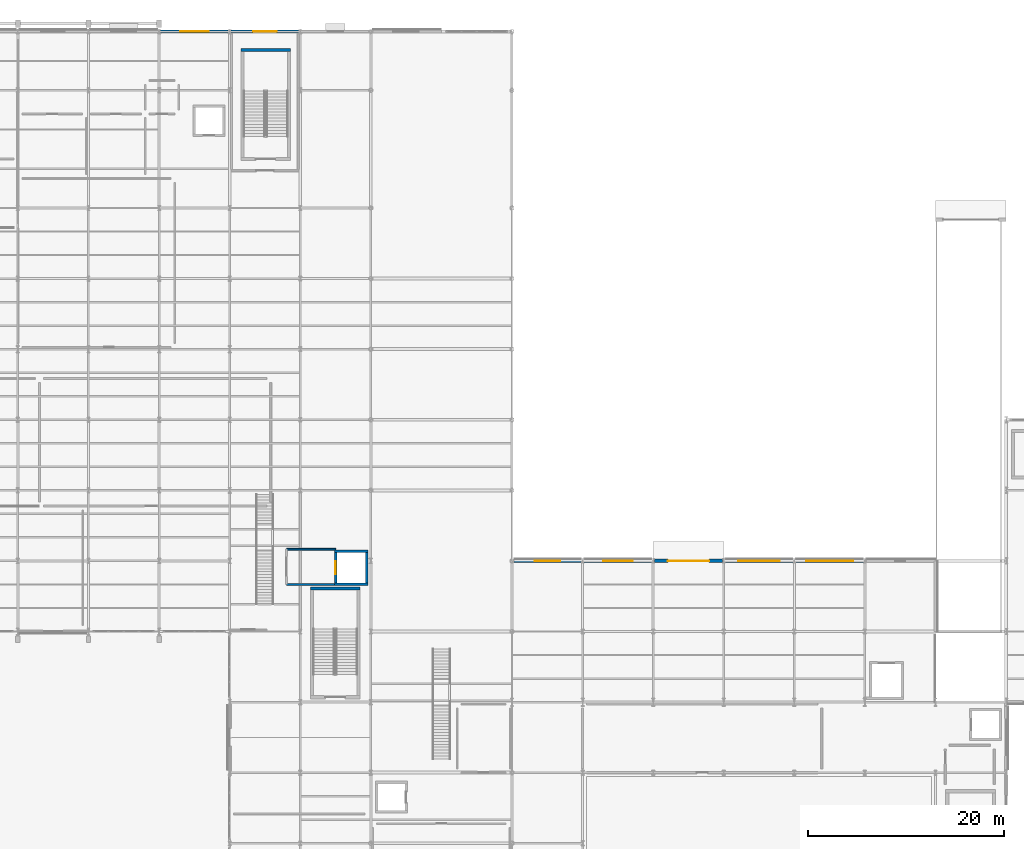
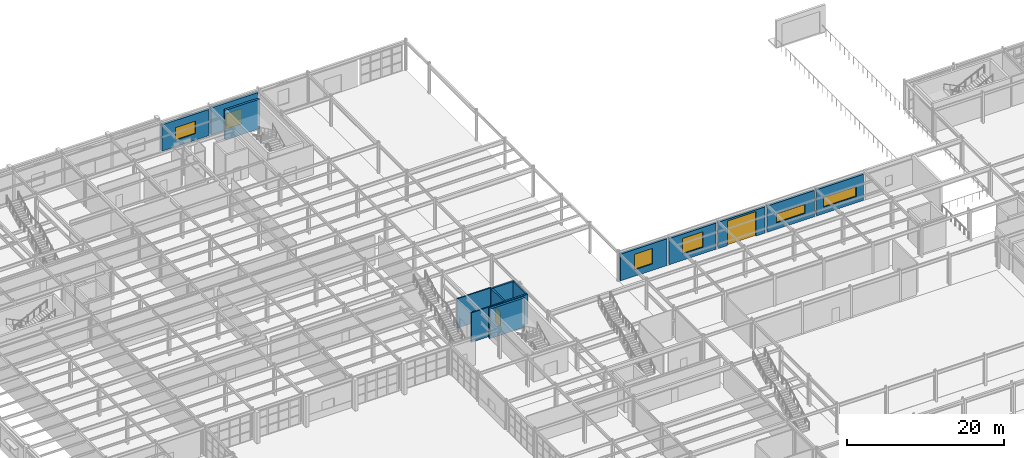
# One storey, part 62 of 83: 15 walls, 5 windows, 3 doors, 8 openings.
"""IFC4 building model written with IfcOpenShell, lengths in metres."""

from ifc_helpers import new_model, si_unit, direction, frame, frame_2d, origin, place, context, subcontext, project, spatial, rectangle, extrude, material, layer, layer_set, type_object, element, fill, save


model = new_model("IFC4")

# Units and contexts
model_context = context("Model", 3, precision=1e-05, world=origin(), true_north=direction((0.0, 1.0)))
body_context = subcontext(model_context, "Body", "Model", "MODEL_VIEW")
ifc_project = project(units=[si_unit("LENGTHUNIT", "METRE"), si_unit("AREAUNIT", "SQUARE_METRE"), si_unit("VOLUMEUNIT", "CUBIC_METRE"), si_unit("PLANEANGLEUNIT", "RADIAN"), si_unit("MASSUNIT", "GRAM", prefix="KILO")], contexts=[model_context])

# Site, building, storey
site_placement = place(None, origin())
site = spatial("IfcSite", under=ifc_project, at=site_placement, CompositionType="ELEMENT")
building_placement = place(site_placement, origin())
building = spatial("IfcBuilding", under=site, at=building_placement, Name="Solvadek Multi-Sports Hall", CompositionType="ELEMENT")
storey_placement = place(building_placement, origin())
storey = spatial("IfcBuildingStorey", under=building, at=storey_placement, Name="L00", CompositionType="ELEMENT", Elevation=0.0)

# Wall, opening, window
ifc_material_1 = material(Name="Fired Deccan terracotta brick masonry", Category="masonry")
ifc_layer_1 = layer(ifc_material_1, 0.35009765625, Name="Fired Deccan terracotta brick masonry")
ifc_layer_set_1 = layer_set([ifc_layer_1], Name="Fired Deccan terracotta brick masonry")
wall_type_1 = type_object("IfcWallType", Name="ENV-WAL-EXT350", PredefinedType="SOLIDWALL", material=ifc_layer_set_1)
wall_1_placement = place(storey_placement, frame((50.553955078125, 110.39990234375, 0.0), z_axis=(0.0, 0.0, 1.0), x_axis=(1.0, 0.0, 0.0)))
wall_1 = element("IfcWall", 1, at=wall_1_placement, inside=storey, type_object=wall_type_1, Name="L00 Exterior Masonry Wall #186", PredefinedType="SOLIDWALL", context=body_context, shape_type="SweptSolid", body=[
    extrude(rectangle(XDim=6.89208984375, YDim=0.35009765625, at=frame_2d((3.446044921875, 0.0))), origin(), (0.0, 0.0, 1.0), 4.06494140625),
])
opening_1_placement = place(wall_1_placement, frame((1.99609375, 0.0, 1.0)))
opening_1 = element("IfcOpeningElement", 2, at=opening_1_placement, cuts=wall_1, Name="Opening WN-32", PredefinedType="OPENING", context=body_context, shape_type="SweptSolid", body=[
    extrude(rectangle(XDim=2.89990234375, YDim=1.949951171875, at=frame_2d((1.449951171875, 0.97509765625))), frame((0.0, 0.18505859375, 0.0), z_axis=(0.0, -1.0, 0.0), x_axis=(1.0, 0.0, 0.0)), (0.0, 0.0, 1.0), 0.3701171875),
])
ifc_material_2 = material(Name="Tempered laminated low-E glass", Category="glass")
window_type_1 = type_object("IfcWindowType", Name="ENV-WIN-WN-32", PartitioningType="SINGLE_PANEL", PredefinedType="WINDOW", material=ifc_material_2)
window_1_placement = place(opening_1_placement, origin())
window_1 = element("IfcWindow", 3, at=window_1_placement, inside=storey, type_object=window_type_1, Name="L00 Facade Window WN-32 #71", OverallHeight=1.949951171875, OverallWidth=2.89990234375, PartitioningType="SINGLE_PANEL", PredefinedType="WINDOW", context=body_context, shape_type="SweptSolid", body=[
    extrude(rectangle(XDim=2.89990234375, YDim=1.949951171875, at=frame_2d((1.449951171875, 0.97509765625))), frame((0.0, 0.030029296875, 0.0), z_axis=(0.0, -1.0, 0.0), x_axis=(1.0, 0.0, 0.0)), (0.0, 0.0, 1.0), 0.06005859375),
])
fill(opening_1, window_1)

# Wall, opening, door
wall_2_placement = place(storey_placement, frame((57.75390625, 110.39990234375, 0.0), z_axis=(0.0, 0.0, 1.0), x_axis=(1.0, 0.0, 0.0)))
wall_2 = element("IfcWall", 4, at=wall_2_placement, inside=storey, type_object=wall_type_1, Name="L00 Exterior Masonry Wall #189", PredefinedType="SOLIDWALL", context=body_context, shape_type="SweptSolid", body=[
    extrude(rectangle(XDim=6.89208984375, YDim=0.35009765625, at=frame_2d((3.446044921875, 0.0))), origin(), (0.0, 0.0, 1.0), 4.1650390625),
])
opening_2_placement = place(wall_2_placement, frame((2.24609375, 0.0, 0.0)))
opening_2 = element("IfcOpeningElement", 5, at=opening_2_placement, cuts=wall_2, Name="Opening D-EX06", PredefinedType="OPENING", context=body_context, shape_type="SweptSolid", body=[
    extrude(rectangle(XDim=2.39990234375, YDim=2.39990234375, at=frame_2d((1.199951171875, 1.199951171875))), frame((0.0, 0.18505859375, 0.0), z_axis=(0.0, -1.0, 0.0), x_axis=(1.0, 0.0, 0.0)), (0.0, 0.0, 1.0), 0.3701171875),
])
ifc_material_3 = material(Name="Anodised aluminium", Category="aluminium")
door_type_1 = type_object("IfcDoorType", Name="ENV-DOR-EX240X240", OperationType="DOUBLE_DOOR_SINGLE_SWING", PredefinedType="DOOR", material=ifc_material_3)
door_1_placement = place(opening_2_placement, origin())
door_1 = element("IfcDoor", 6, at=door_1_placement, inside=storey, type_object=door_type_1, Name="Stair ST-03 Final Exit Door D-EX06", OperationType="DOUBLE_DOOR_SINGLE_SWING", OverallHeight=2.39990234375, OverallWidth=2.39990234375, PredefinedType="DOOR", context=body_context, shape_type="SweptSolid", body=[
    extrude(rectangle(XDim=2.39990234375, YDim=2.39990234375, at=frame_2d((1.199951171875, 1.199951171875))), frame((0.0, 0.02490234375, 0.0), z_axis=(0.0, -1.0, 0.0), x_axis=(1.0, 0.0, 0.0)), (0.0, 0.0, 1.0), 0.050048828125),
])
fill(opening_2, door_1)

# Wall, opening, window
wall_3_placement = place(storey_placement, frame((86.607177734375, 56.39990234375, 0.0), z_axis=(0.0, 0.0, 1.0), x_axis=(1.0, 0.0, 0.0)))
wall_3 = element("IfcWall", 7, at=wall_3_placement, inside=storey, type_object=wall_type_1, Name="L00 Exterior Masonry Wall #253", PredefinedType="SOLIDWALL", context=body_context, shape_type="SweptSolid", body=[
    extrude(rectangle(XDim=6.8388671875, YDim=0.35009765625, at=frame_2d((3.41943359375, 0.0))), origin(), (0.0, 0.0, 1.0), 4.14990234375),
])
opening_3_placement = place(wall_3_placement, frame((2.0927734375, 0.0, 1.0)))
opening_3 = element("IfcOpeningElement", 8, at=opening_3_placement, cuts=wall_3, Name="Opening WN-19", PredefinedType="OPENING", context=body_context, shape_type="SweptSolid", body=[
    extrude(rectangle(XDim=2.60009765625, YDim=2.39990234375, at=frame_2d((1.300048828125, 1.199951171875))), frame((0.0, 0.18505859375, 0.0), z_axis=(0.0, -1.0, 0.0), x_axis=(1.0, 0.0, 0.0)), (0.0, 0.0, 1.0), 0.3701171875),
])
window_type_2 = type_object("IfcWindowType", Name="ENV-WIN-WN-19", PartitioningType="SINGLE_PANEL", PredefinedType="WINDOW", material=ifc_material_2)
window_2_placement = place(opening_3_placement, origin())
window_2 = element("IfcWindow", 9, at=window_2_placement, inside=storey, type_object=window_type_2, Name="L00 Facade Window WN-19 #108", OverallHeight=2.39990234375, OverallWidth=2.60009765625, PartitioningType="SINGLE_PANEL", PredefinedType="WINDOW", context=body_context, shape_type="SweptSolid", body=[
    extrude(rectangle(XDim=2.60009765625, YDim=2.39990234375, at=frame_2d((1.300048828125, 1.199951171875))), frame((0.0, 0.030029296875, 0.0), z_axis=(0.0, -1.0, 0.0), x_axis=(1.0, 0.0, 0.0)), (0.0, 0.0, 1.0), 0.06005859375),
])
fill(opening_3, window_2)

wall_4_placement = place(storey_placement, frame((93.75390625, 56.39990234375, 0.0), z_axis=(0.0, 0.0, 1.0), x_axis=(1.0, 0.0, 0.0)))
wall_4 = element("IfcWall", 10, at=wall_4_placement, inside=storey, type_object=wall_type_1, Name="L00 Exterior Masonry Wall #254", PredefinedType="SOLIDWALL", context=body_context, shape_type="SweptSolid", body=[
    extrude(rectangle(XDim=6.89208984375, YDim=0.35009765625, at=frame_2d((3.446044921875, 0.0))), origin(), (0.0, 0.0, 1.0), 4.06494140625),
])
opening_4_placement = place(wall_4_placement, frame((1.946044921875, 0.0, 1.0)))
opening_4 = element("IfcOpeningElement", 11, at=opening_4_placement, cuts=wall_4, Name="Opening WN-20", PredefinedType="OPENING", context=body_context, shape_type="SweptSolid", body=[
    extrude(rectangle(XDim=3.0, YDim=2.39990234375, at=frame_2d((1.5, 1.199951171875))), frame((0.0, 0.18505859375, 0.0), z_axis=(0.0, -1.0, 0.0), x_axis=(1.0, 0.0, 0.0)), (0.0, 0.0, 1.0), 0.3701171875),
])
window_type_3 = type_object("IfcWindowType", Name="ENV-WIN-WN-20", PartitioningType="SINGLE_PANEL", PredefinedType="WINDOW", material=ifc_material_2)
window_3_placement = place(opening_4_placement, origin())
window_3 = element("IfcWindow", 12, at=window_3_placement, inside=storey, type_object=window_type_3, Name="L00 Facade Window WN-20 #109", OverallHeight=2.39990234375, OverallWidth=3.0, PartitioningType="SINGLE_PANEL", PredefinedType="WINDOW", context=body_context, shape_type="SweptSolid", body=[
    extrude(rectangle(XDim=3.0, YDim=2.39990234375, at=frame_2d((1.5, 1.199951171875))), frame((0.0, 0.030029296875, 0.0), z_axis=(0.0, -1.0, 0.0), x_axis=(1.0, 0.0, 0.0)), (0.0, 0.0, 1.0), 0.06005859375),
])
fill(opening_4, window_3)

# Wall, opening, door
wall_5_placement = place(storey_placement, frame((100.9541015625, 56.39990234375, 0.0), z_axis=(0.0, 0.0, 1.0), x_axis=(1.0, 0.0, 0.0)))
wall_5 = element("IfcWall", 13, at=wall_5_placement, inside=storey, type_object=wall_type_1, Name="L00 Exterior Masonry Wall #255", PredefinedType="SOLIDWALL", context=body_context, shape_type="SweptSolid", body=[
    extrude(rectangle(XDim=6.891845703125, YDim=0.35009765625, at=frame_2d((3.44580078125, 0.0))), origin(), (0.0, 0.0, 1.0), 4.06494140625),
])
opening_5_placement = place(wall_5_placement, frame((1.345947265625, 0.0, 0.0)))
opening_5 = element("IfcOpeningElement", 14, at=opening_5_placement, cuts=wall_5, Name="Opening VG-03", PredefinedType="OPENING", context=body_context, shape_type="SweptSolid", body=[
    extrude(rectangle(XDim=4.199951171875, YDim=3.800048828125, at=frame_2d((2.10009765625, 1.89990234375))), frame((0.0, 0.18505859375, 0.0), z_axis=(0.0, -1.0, 0.0), x_axis=(1.0, 0.0, 0.0)), (0.0, 0.0, 1.0), 0.3701171875),
])
ifc_material_4 = material(Name="Steel E250 (250 MPa)", Category="steel")
door_type_2 = type_object("IfcDoorType", Name="ENV-DOR-LDK420X380", OperationType="ROLLINGUP", PredefinedType="GATE", material=ifc_material_4)
door_2_placement = place(opening_5_placement, origin())
door_2 = element("IfcDoor", 15, at=door_2_placement, inside=storey, type_object=door_type_2, Name="Arena Goods Loading Dock Roller Shutter VG-03", OperationType="ROLLINGUP", OverallHeight=3.800048828125, OverallWidth=4.199951171875, PredefinedType="GATE", context=body_context, shape_type="SweptSolid", body=[
    extrude(rectangle(XDim=4.199951171875, YDim=3.800048828125, at=frame_2d((2.10009765625, 1.89990234375))), frame((0.0, 0.02490234375, 0.0), z_axis=(0.0, -1.0, 0.0), x_axis=(1.0, 0.0, 0.0)), (0.0, 0.0, 1.0), 0.050048828125),
])
fill(opening_5, door_2)

# Wall, opening, window
wall_6_placement = place(storey_placement, frame((108.154052734375, 56.39990234375, 0.0), z_axis=(0.0, 0.0, 1.0), x_axis=(1.0, 0.0, 0.0)))
wall_6 = element("IfcWall", 16, at=wall_6_placement, inside=storey, type_object=wall_type_1, Name="L00 Exterior Masonry Wall #256", PredefinedType="SOLIDWALL", context=body_context, shape_type="SweptSolid", body=[
    extrude(rectangle(XDim=6.891845703125, YDim=0.35009765625, at=frame_2d((3.44580078125, 0.0))), origin(), (0.0, 0.0, 1.0), 4.06494140625),
])
opening_6_placement = place(wall_6_placement, frame((1.345947265625, 0.0, 1.0)))
opening_6 = element("IfcOpeningElement", 17, at=opening_6_placement, cuts=wall_6, Name="Opening WN-22", PredefinedType="OPENING", context=body_context, shape_type="SweptSolid", body=[
    extrude(rectangle(XDim=4.199951171875, YDim=1.39990234375, at=frame_2d((2.10009765625, 0.699951171875))), frame((0.0, 0.18505859375, 0.0), z_axis=(0.0, -1.0, 0.0), x_axis=(1.0, 0.0, 0.0)), (0.0, 0.0, 1.0), 0.3701171875),
])
window_type_4 = type_object("IfcWindowType", Name="ENV-WIN-WN-22", PartitioningType="SINGLE_PANEL", PredefinedType="WINDOW", material=ifc_material_2)
window_4_placement = place(opening_6_placement, origin())
window_4 = element("IfcWindow", 18, at=window_4_placement, inside=storey, type_object=window_type_4, Name="L00 Facade Window WN-22 #110", OverallHeight=1.39990234375, OverallWidth=4.199951171875, PartitioningType="SINGLE_PANEL", PredefinedType="WINDOW", context=body_context, shape_type="SweptSolid", body=[
    extrude(rectangle(XDim=4.199951171875, YDim=1.39990234375, at=frame_2d((2.10009765625, 0.699951171875))), frame((0.0, 0.030029296875, 0.0), z_axis=(0.0, -1.0, 0.0), x_axis=(1.0, 0.0, 0.0)), (0.0, 0.0, 1.0), 0.06005859375),
])
fill(opening_6, window_4)

wall_7_placement = place(storey_placement, frame((115.35400390625, 56.39990234375, 0.0), z_axis=(0.0, 0.0, 1.0), x_axis=(1.0, 0.0, 0.0)))
wall_7 = element("IfcWall", 19, at=wall_7_placement, inside=storey, type_object=wall_type_1, Name="L00 Exterior Masonry Wall #257", PredefinedType="SOLIDWALL", context=body_context, shape_type="SweptSolid", body=[
    extrude(rectangle(XDim=6.89208984375, YDim=0.35009765625, at=frame_2d((3.446044921875, 0.0))), origin(), (0.0, 0.0, 1.0), 4.06494140625),
])
opening_7_placement = place(wall_7_placement, frame((1.0458984375, 0.0, 1.0)))
opening_7 = element("IfcOpeningElement", 20, at=opening_7_placement, cuts=wall_7, Name="Opening WN-23", PredefinedType="OPENING", context=body_context, shape_type="SweptSolid", body=[
    extrude(rectangle(XDim=4.800048828125, YDim=1.5, at=frame_2d((2.39990234375, 0.75))), frame((0.0, 0.18505859375, 0.0), z_axis=(0.0, -1.0, 0.0), x_axis=(1.0, 0.0, 0.0)), (0.0, 0.0, 1.0), 0.3701171875),
])
window_type_5 = type_object("IfcWindowType", Name="ENV-WIN-WN-23", PartitioningType="SINGLE_PANEL", PredefinedType="WINDOW", material=ifc_material_2)
window_5_placement = place(opening_7_placement, origin())
window_5 = element("IfcWindow", 21, at=window_5_placement, inside=storey, type_object=window_type_5, Name="L00 Facade Window WN-23 #111", OverallHeight=1.5, OverallWidth=4.800048828125, PartitioningType="SINGLE_PANEL", PredefinedType="WINDOW", context=body_context, shape_type="SweptSolid", body=[
    extrude(rectangle(XDim=4.800048828125, YDim=1.5, at=frame_2d((2.39990234375, 0.75))), frame((0.0, 0.030029296875, 0.0), z_axis=(0.0, -1.0, 0.0), x_axis=(1.0, 0.0, 0.0)), (0.0, 0.0, 1.0), 0.06005859375),
])
fill(opening_7, window_5)

# Walls
ifc_material_5 = material(Name="Autoclaved aerated concrete blockwork", Category="masonry")
ifc_layer_2 = layer(ifc_material_5, 0.179931640625, Name="Autoclaved aerated concrete blockwork")
ifc_layer_set_2 = layer_set([ifc_layer_2], Name="Autoclaved aerated concrete blockwork")
wall_type_2 = type_object("IfcWallType", Name="INT-WAL-PRT180", PredefinedType="PARTITIONING", material=ifc_layer_set_2)
for number, where, z_axis, x_axis, name in (
    (22, (63.39990234375, 54.0, 0.0), (0.0, 0.0, 1.0), (1.0, 0.0, 0.0), "L00 Firefighting Lobby LF-02 Rated Wall S"),
    (23, (63.39990234375, 57.60009765625, 0.0), (0.0, 0.0, 1.0), (1.0, 0.0, 0.0), "L00 Firefighting Lobby LF-02 Rated Wall N"),
):
    element("IfcWall", number, at=place(storey_placement, frame(where, z_axis=z_axis, x_axis=x_axis)), inside=storey, type_object=wall_type_2, Name=name, PredefinedType="PARTITIONING", context=body_context, shape_type="SweptSolid", body=[
        extrude(rectangle(XDim=5.0, YDim=0.179931640625, at=frame_2d((2.5, 0.0))), origin(), (0.0, 0.0, 1.0), 4.56494140625),
    ])
ifc_material_6 = material(Name="Concrete M40", Category="concrete")
ifc_layer_3 = layer(ifc_material_6, 0.260009765625, Name="Concrete M40")
ifc_layer_set_3 = layer_set([ifc_layer_3], Name="Concrete M40")
wall_type_3 = type_object("IfcWallType", Name="INT-WAL-SHR260", PredefinedType="SHEAR", material=ifc_layer_set_3)
for number, where, z_axis, x_axis, name in (
    (24, (68.27001953125, 54.0, 0.0), (0.0, 0.0, 1.0), (1.0, 0.0, 0.0), "Lift LF-02 Shaft Shear Wall L00 south"),
    (25, (68.27001953125, 57.39990234375, 0.0), (0.0, 0.0, 1.0), (1.0, 0.0, 0.0), "Lift LF-02 Shaft Shear Wall L00 north"),
):
    element("IfcWall", number, at=place(storey_placement, frame(where, z_axis=z_axis, x_axis=x_axis)), inside=storey, type_object=wall_type_3, Name=name, PredefinedType="SHEAR", context=body_context, shape_type="SweptSolid", body=[
        extrude(rectangle(XDim=3.4599609375, YDim=0.260009765625, at=frame_2d((1.72998046875, 0.0))), origin(), (0.0, 0.0, 1.0), 4.580078125),
    ])

# Wall, opening, door
wall_8_placement = place(storey_placement, frame((68.39990234375, 54.1298828125, 0.0), z_axis=(0.0, 0.0, 1.0), x_axis=(0.0, 1.0, 0.0)))
wall_8 = element("IfcWall", 26, at=wall_8_placement, inside=storey, type_object=wall_type_3, Name="Lift LF-02 Shaft Shear Wall L00 west", PredefinedType="SHEAR", context=body_context, shape_type="SweptSolid", body=[
    extrude(rectangle(XDim=3.14013671875, YDim=0.260009765625, at=frame_2d((1.570068359375, 0.0))), origin(), (0.0, 0.0, 1.0), 4.580078125),
])
opening_8_placement = place(wall_8_placement, frame((0.919921875, 0.0, 0.0)))
opening_8 = element("IfcOpeningElement", 27, at=opening_8_placement, cuts=wall_8, Name="Opening LD-07", PredefinedType="OPENING", context=body_context, shape_type="SweptSolid", body=[
    extrude(rectangle(XDim=1.300048828125, YDim=2.199951171875, at=frame_2d((0.64990234375, 1.10009765625))), frame((0.0, 0.139892578125, 0.0), z_axis=(0.0, -1.0, 0.0), x_axis=(1.0, 0.0, 0.0)), (0.0, 0.0, 1.0), 0.280029296875),
])
door_type_3 = type_object("IfcDoorType", Name="INT-DOR-LD130X220", OperationType="DOUBLE_DOOR_SLIDING", PredefinedType="DOOR", material=ifc_material_3)
door_3_placement = place(opening_8_placement, origin())
door_3 = element("IfcDoor", 28, at=door_3_placement, inside=storey, type_object=door_type_3, Name="L00 Lift LF-02 Sliding Landing Door LD-07", OperationType="DOUBLE_DOOR_SLIDING", OverallHeight=2.199951171875, OverallWidth=1.300048828125, PredefinedType="DOOR", context=body_context, shape_type="SweptSolid", body=[
    extrude(rectangle(XDim=1.300048828125, YDim=2.199951171875, at=frame_2d((0.64990234375, 1.10009765625))), frame((0.0, 0.02490234375, 0.0), z_axis=(0.0, -1.0, 0.0), x_axis=(1.0, 0.0, 0.0)), (0.0, 0.0, 1.0), 0.050048828125),
])
fill(opening_8, door_3)

# Walls
wall_9_placement = place(storey_placement, frame((71.60009765625, 54.1298828125, 0.0), z_axis=(0.0, 0.0, 1.0), x_axis=(0.0, 1.0, 0.0)))
element("IfcWall", 29, at=wall_9_placement, inside=storey, type_object=wall_type_3, Name="Lift LF-02 Shaft Shear Wall L00 east", PredefinedType="SHEAR", context=body_context, shape_type="SweptSolid", body=[
    extrude(rectangle(XDim=3.14013671875, YDim=0.260009765625, at=frame_2d((1.570068359375, 0.0))), origin(), (0.0, 0.0, 1.0), 4.580078125),
])
ifc_layer_4 = layer(ifc_material_6, 0.320068359375, Name="Concrete M40")
ifc_layer_set_4 = layer_set([ifc_layer_4], Name="Concrete M40")
wall_type_4 = type_object("IfcWallType", Name="INT-WAL-SHR320", PredefinedType="SHEAR", material=ifc_layer_set_4)
wall_10_placement = place(storey_placement, frame((58.739990234375, 108.5, 0.0), z_axis=(0.0, 0.0, 1.0), x_axis=(1.0, 0.0, 0.0)))
element("IfcWall", 30, at=wall_10_placement, inside=storey, type_object=wall_type_4, Name="L00 Stair ST-03 Shear Wall N", PredefinedType="SHEAR", context=body_context, shape_type="SweptSolid", body=[
    extrude(rectangle(XDim=5.070068359375, YDim=0.320068359375, at=frame_2d((2.53515625, 0.0))), origin(), (0.0, 0.0, 1.0), 4.580078125),
])
wall_11_placement = place(storey_placement, frame((65.840087890625, 53.60009765625, 0.0), z_axis=(0.0, 0.0, 1.0), x_axis=(1.0, 0.0, 0.0)))
element("IfcWall", 31, at=wall_11_placement, inside=storey, type_object=wall_type_4, Name="L00 Stair ST-04 Shear Wall N", PredefinedType="SHEAR", context=body_context, shape_type="SweptSolid", body=[
    extrude(rectangle(XDim=5.06982421875, YDim=0.320068359375, at=frame_2d((2.534912109375, 0.0))), origin(), (0.0, 0.0, 1.0), 4.580078125),
])

save(model, "model.ifc")
